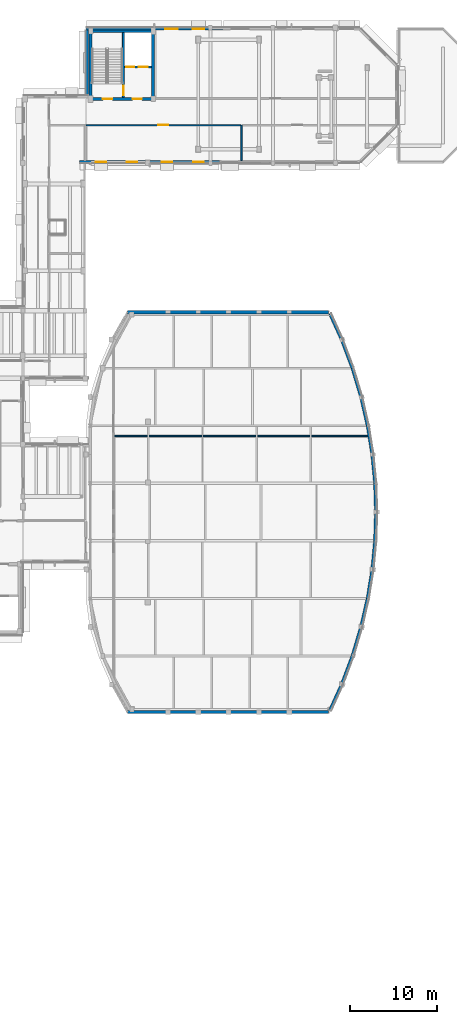
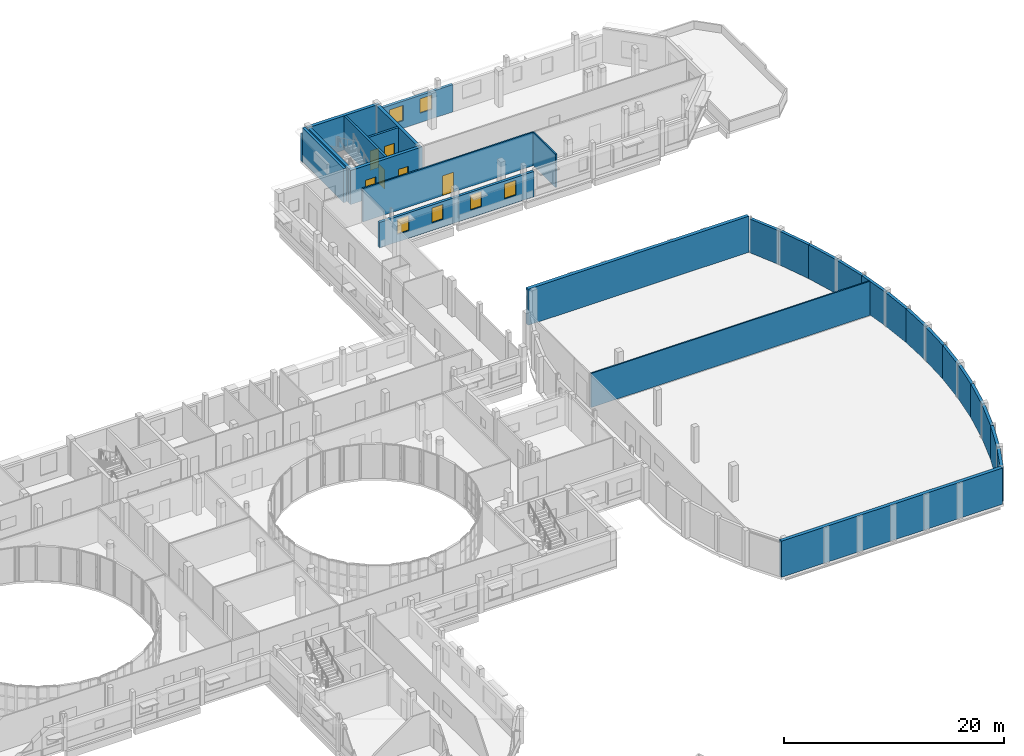
# One storey, part 86 of 105: 28 walls, 6 doors, 6 windows, 12 openings.
"""IFC4 building model written with IfcOpenShell, lengths in metres."""

from ifc_helpers import new_model, si_unit, direction, frame, frame_2d, origin, place, context, subcontext, project, spatial, rectangle, extrude, material, layer, layer_set, type_object, element, fill, save


model = new_model("IFC4")

# Units and contexts
model_context = context("Model", 3, precision=1e-05, world=origin(), true_north=direction((0.0, 1.0)))
body_context = subcontext(model_context, "Body", "Model", "MODEL_VIEW")
ifc_project = project(units=[si_unit("LENGTHUNIT", "METRE"), si_unit("AREAUNIT", "SQUARE_METRE"), si_unit("VOLUMEUNIT", "CUBIC_METRE"), si_unit("PLANEANGLEUNIT", "RADIAN"), si_unit("MASSUNIT", "GRAM", prefix="KILO")], contexts=[model_context])

# Site, building, storey
site_placement = place(None, origin())
site = spatial("IfcSite", under=ifc_project, at=site_placement, CompositionType="ELEMENT")
building_placement = place(site_placement, origin())
building = spatial("IfcBuilding", under=site, at=building_placement, Name="Kelanivale Promenade Academy", CompositionType="ELEMENT")
storey_placement = place(building_placement, frame((0.0, 0.0, 4.199951171875)))
storey = spatial("IfcBuildingStorey", under=building, at=storey_placement, Name="L01", CompositionType="ELEMENT", Elevation=4.199951171875)

# Wall, openings, doors
ifc_material_1 = material(Name="Concrete C40/50", Category="concrete")
ifc_layer_1 = layer(ifc_material_1, 0.330078125)
ifc_layer_set_1 = layer_set([ifc_layer_1], Name="Concrete C40/50")
wall_type_1 = type_object("IfcWallType", Name="CW-S1 Wall 330mm", PredefinedType="SHEAR", material=ifc_layer_set_1)
wall_1_placement = place(storey_placement, frame((123.235107421875, 103.800048828125, 0.0), z_axis=(0.0, 0.0, 1.0), x_axis=(1.0, 0.0, 0.0)))
wall_1 = element("IfcWall", 1, at=wall_1_placement, inside=storey, type_object=wall_type_1, Name="CORE-5 RC shear wall S L01", PredefinedType="SHEAR", context=body_context, shape_type="SweptSolid", body=[
    extrude(rectangle(XDim=7.52978515625, YDim=0.330078125, at=frame_2d((3.764892578125, 0.0))), origin(), (0.0, 0.0, 1.0), 3.780029296875),
])
opening_1_placement = place(wall_1_placement, frame((5.014892578125, 0.0, 0.0)))
opening_1 = element("IfcOpeningElement", 2, at=opening_1_placement, cuts=wall_1, Name="Opening FD-CORE-5-LB-L01", PredefinedType="OPENING", context=body_context, shape_type="SweptSolid", body=[
    extrude(rectangle(XDim=1.050048828125, YDim=2.14990234375, at=frame_2d((0.52490234375, 1.074951171875))), frame((0.0, 0.175048828125, 0.0), z_axis=(0.0, -1.0, 0.0), x_axis=(1.0, 0.0, 0.0)), (0.0, 0.0, 1.0), 0.35009765625),
])
opening_2_placement = place(wall_1_placement, frame((1.56494140625, 0.0, 0.0)))
opening_2 = element("IfcOpeningElement", 3, at=opening_2_placement, cuts=wall_1, Name="Opening FD-CORE-5-ST-L01", PredefinedType="OPENING", context=body_context, shape_type="SweptSolid", body=[
    extrude(rectangle(XDim=1.10009765625, YDim=2.14990234375, at=frame_2d((0.550048828125, 1.074951171875))), frame((0.0, 0.175048828125, 0.0), z_axis=(0.0, -1.0, 0.0), x_axis=(1.0, 0.0, 0.0)), (0.0, 0.0, 1.0), 0.35009765625),
])
ifc_material_2 = material(Name="Fire-rated steel-core teak veneer", Category="steel")
door_type_1 = type_object("IfcDoorType", Name="DT-F01 Door 1100x2150", OperationType="NOTDEFINED", PredefinedType="DOOR", material=ifc_material_2)
door_1_placement = place(opening_2_placement, frame((1.10009765625, 0.0, 0.0), z_axis=(0.0, 0.0, 1.0), x_axis=(-1.0, 0.0, 0.0)))
door_1 = element("IfcDoor", 4, at=door_1_placement, inside=storey, type_object=door_type_1, Name="CORE-5 protected stair fire door L01", OperationType="SINGLE_SWING_LEFT", OverallHeight=2.14990234375, OverallWidth=1.10009765625, PredefinedType="DOOR", context=body_context, shape_type="SweptSolid", body=[
    extrude(rectangle(XDim=1.10009765625, YDim=2.14990234375, at=frame_2d((0.550048828125, 1.074951171875))), frame((0.0, 0.02490234375, 0.0), z_axis=(0.0, -1.0, 0.0), x_axis=(1.0, 0.0, 0.0)), (0.0, 0.0, 1.0), 0.050048828125),
])
fill(opening_2, door_1)
door_type_2 = type_object("IfcDoorType", Name="DT-F03 Door 1050x2150", OperationType="NOTDEFINED", PredefinedType="DOOR", material=ifc_material_2)
door_2_placement = place(opening_1_placement, origin())
door_2 = element("IfcDoor", 5, at=door_2_placement, inside=storey, type_object=door_type_2, Name="CORE-5 corridor-to-lobby fire door L01", OperationType="SINGLE_SWING_RIGHT", OverallHeight=2.14990234375, OverallWidth=1.050048828125, PredefinedType="DOOR", context=body_context, shape_type="SweptSolid", body=[
    extrude(rectangle(XDim=1.050048828125, YDim=2.14990234375, at=frame_2d((0.52490234375, 1.074951171875))), frame((0.0, 0.02490234375, 0.0), z_axis=(0.0, -1.0, 0.0), x_axis=(1.0, 0.0, 0.0)), (0.0, 0.0, 1.0), 0.050048828125),
])
fill(opening_1, door_2)

# Walls
wall_2_placement = place(storey_placement, frame((123.235107421875, 111.60009765625, 0.0), z_axis=(0.0, 0.0, 1.0), x_axis=(1.0, 0.0, 0.0)))
element("IfcWall", 6, at=wall_2_placement, inside=storey, type_object=wall_type_1, Name="CORE-5 RC shear wall N L01", PredefinedType="SHEAR", context=body_context, shape_type="SweptSolid", body=[
    extrude(rectangle(XDim=7.52978515625, YDim=0.330078125, at=frame_2d((3.764892578125, 0.0))), origin(), (0.0, 0.0, 1.0), 3.780029296875),
])
for number, where, z_axis, x_axis, name in (
    (7, (123.39990234375, 103.965087890625, 0.0), (0.0, 0.0, 1.0), (0.0, 1.0, 0.0), "CORE-5 RC shear wall W L01"),
    (8, (130.60009765625, 103.965087890625, 0.0), (0.0, 0.0, 1.0), (0.0, 1.0, 0.0), "CORE-5 RC shear wall E L01"),
):
    element("IfcWall", number, at=place(storey_placement, frame(where, z_axis=z_axis, x_axis=x_axis)), inside=storey, type_object=wall_type_1, Name=name, PredefinedType="SHEAR", context=body_context, shape_type="SweptSolid", body=[
        extrude(rectangle(XDim=7.469970703125, YDim=0.330078125, at=frame_2d((3.73486328125, 0.0))), origin(), (0.0, 0.0, 1.0), 3.780029296875),
    ])

# Wall, openings, doors
ifc_layer_2 = layer(ifc_material_1, 0.22509765625)
ifc_layer_set_2 = layer_set([ifc_layer_2], Name="Concrete C40/50")
wall_type_2 = type_object("IfcWallType", Name="CW-S2 Wall 225mm", PredefinedType="SHEAR", material=ifc_layer_set_2)
wall_3_placement = place(storey_placement, frame((127.284912109375, 107.469970703125, 0.0), z_axis=(0.0, 0.0, 1.0), x_axis=(1.0, 0.0, 0.0)))
wall_3 = element("IfcWall", 9, at=wall_3_placement, inside=storey, type_object=wall_type_2, Name="CORE-5 lift shaft front RC wall L01", PredefinedType="SHEAR", context=body_context, shape_type="SweptSolid", body=[
    extrude(rectangle(XDim=3.150146484375, YDim=0.22509765625, at=frame_2d((1.5751953125, 0.0))), origin(), (0.0, 0.0, 1.0), 3.780029296875),
])
opening_3_placement = place(wall_3_placement, frame((0.199951171875, 0.0, 0.0)))
opening_3 = element("IfcOpeningElement", 10, at=opening_3_placement, cuts=wall_3, Name="Opening LD-LF-FF4-L01", PredefinedType="OPENING", context=body_context, shape_type="SweptSolid", body=[
    extrude(rectangle(XDim=0.949951171875, YDim=2.14990234375, at=frame_2d((0.47509765625, 1.074951171875))), frame((0.0, 0.12255859375, 0.0), z_axis=(0.0, -1.0, 0.0), x_axis=(1.0, 0.0, 0.0)), (0.0, 0.0, 1.0), 0.2451171875),
])
opening_4_placement = place(wall_3_placement, frame((1.64990234375, 0.0, 0.0)))
opening_4 = element("IfcOpeningElement", 11, at=opening_4_placement, cuts=wall_3, Name="Opening LD-LF-P3-L01", PredefinedType="OPENING", context=body_context, shape_type="SweptSolid", body=[
    extrude(rectangle(XDim=1.050048828125, YDim=2.199951171875, at=frame_2d((0.52490234375, 1.10009765625))), frame((0.0, 0.12255859375, 0.0), z_axis=(0.0, -1.0, 0.0), x_axis=(1.0, 0.0, 0.0)), (0.0, 0.0, 1.0), 0.2451171875),
])
door_type_3 = type_object("IfcDoorType", Name="LD-FF1 Door 950x2150", OperationType="NOTDEFINED", PredefinedType="DOOR", material=ifc_material_2)
door_3_placement = place(opening_3_placement, origin())
door_3 = element("IfcDoor", 12, at=door_3_placement, inside=storey, type_object=door_type_3, Name="Firefighting lift landing door LD-LF-FF4-L01", OperationType="SLIDING_TO_LEFT", OverallHeight=2.14990234375, OverallWidth=0.949951171875, PredefinedType="DOOR", context=body_context, shape_type="SweptSolid", body=[
    extrude(rectangle(XDim=0.949951171875, YDim=2.14990234375, at=frame_2d((0.47509765625, 1.074951171875))), frame((0.0, 0.02490234375, 0.0), z_axis=(0.0, -1.0, 0.0), x_axis=(1.0, 0.0, 0.0)), (0.0, 0.0, 1.0), 0.050048828125),
])
fill(opening_3, door_3)
door_type_4 = type_object("IfcDoorType", Name="LD-PL1 Door 1050x2200", OperationType="NOTDEFINED", PredefinedType="DOOR", material=ifc_material_2)
door_4_placement = place(opening_4_placement, origin())
door_4 = element("IfcDoor", 13, at=door_4_placement, inside=storey, type_object=door_type_4, Name="Passenger lift landing door LD-LF-P3-L01", OperationType="SLIDING_TO_RIGHT", OverallHeight=2.199951171875, OverallWidth=1.050048828125, PredefinedType="DOOR", context=body_context, shape_type="SweptSolid", body=[
    extrude(rectangle(XDim=1.050048828125, YDim=2.199951171875, at=frame_2d((0.52490234375, 1.10009765625))), frame((0.0, 0.02490234375, 0.0), z_axis=(0.0, -1.0, 0.0), x_axis=(1.0, 0.0, 0.0)), (0.0, 0.0, 1.0), 0.050048828125),
])
fill(opening_4, door_4)

# Wall, opening, door
ifc_layer_3 = layer(ifc_material_1, 0.219970703125)
ifc_layer_set_3 = layer_set([ifc_layer_3], Name="Concrete C40/50")
wall_type_3 = type_object("IfcWallType", Name="CW-S3 Wall 220mm", PredefinedType="SHEAR", material=ifc_layer_set_3)
wall_4_placement = place(storey_placement, frame((127.175048828125, 103.965087890625, 0.0), z_axis=(0.0, 0.0, 1.0), x_axis=(0.0, 1.0, 0.0)))
wall_4 = element("IfcWall", 14, at=wall_4_placement, inside=storey, type_object=wall_type_3, Name="CORE-5 stair-lobby dividing RC wall L01", PredefinedType="SHEAR", context=body_context, shape_type="SweptSolid", body=[
    extrude(rectangle(XDim=7.469970703125, YDim=0.219970703125, at=frame_2d((3.73486328125, 0.0))), origin(), (0.0, 0.0, 1.0), 3.780029296875),
])
opening_5_placement = place(wall_4_placement, frame((0.25, 0.0, 0.0)))
opening_5 = element("IfcOpeningElement", 15, at=opening_5_placement, cuts=wall_4, Name="Opening FD-CORE-5-SL-L01", PredefinedType="OPENING", context=body_context, shape_type="SweptSolid", body=[
    extrude(rectangle(XDim=1.10009765625, YDim=2.14990234375, at=frame_2d((0.550048828125, 1.074951171875))), frame((0.0, 0.1201171875, 0.0), z_axis=(0.0, -1.0, 0.0), x_axis=(1.0, 0.0, 0.0)), (0.0, 0.0, 1.0), 0.239990234375),
])
door_5_placement = place(opening_5_placement, origin())
door_5 = element("IfcDoor", 16, at=door_5_placement, inside=storey, type_object=door_type_1, Name="CORE-5 lobby-to-stair fire door L01", OperationType="SINGLE_SWING_LEFT", OverallHeight=2.14990234375, OverallWidth=1.10009765625, PredefinedType="DOOR", context=body_context, shape_type="SweptSolid", body=[
    extrude(rectangle(XDim=1.10009765625, YDim=2.14990234375, at=frame_2d((0.550048828125, 1.074951171875))), frame((0.0, 0.02490234375, 0.0), z_axis=(0.0, -1.0, 0.0), x_axis=(1.0, 0.0, 0.0)), (0.0, 0.0, 1.0), 0.050048828125),
])
fill(opening_5, door_5)

# Walls
ifc_layer_4 = layer(ifc_material_1, 0.360107421875)
ifc_layer_set_4 = layer_set([ifc_layer_4], Name="Concrete C40/50")
wall_type_4 = type_object("IfcWallType", Name="ESW-01 Wall 360mm", PredefinedType="SHEAR", material=ifc_layer_set_4)
for number, where, z_axis, x_axis, name in (
    (17, (127.64990234375, 33.179931640625, 0.0), (0.0, 0.0, 1.0), (1.0, 0.0, 0.0), "Assembly Hall Arc Pavilion gable wall L01"),
    (18, (150.7880859375, 79.219970703125, 0.0), (0.0, 0.0, 1.0), (-1.0, 0.0, 0.0), "Assembly Hall Arc Pavilion gable wall L01"),
):
    element("IfcWall", number, at=place(storey_placement, frame(where, z_axis=z_axis, x_axis=x_axis)), inside=storey, type_object=wall_type_4, Name=name, PredefinedType="SHEAR", context=body_context, shape_type="SweptSolid", body=[
        extrude(rectangle(XDim=23.13818359375, YDim=0.360107421875, at=frame_2d((11.569091796875, 0.0))), origin(), (0.0, 0.0, 1.0), 4.0),
    ])
ifc_material_3 = material(Name="Insulated terracotta-clad masonry wall 300 mm", Category="masonry")
ifc_layer_5 = layer(ifc_material_3, 0.300048828125)
ifc_layer_set_5 = layer_set([ifc_layer_5], Name="Insulated terracotta-clad masonry wall 300 mm")
wall_type_5 = type_object("IfcWallType", Name="EW-01 Wall 300mm", PredefinedType="SOLIDWALL", material=ifc_layer_set_5)
wall_5_placement = place(storey_placement, frame((150.9541015625, 33.364013671875, 0.0), z_axis=(0.0, 0.0, 1.0), x_axis=(0.414347666712, 0.910118679673, 0.0)))
element("IfcWall", 19, at=wall_5_placement, inside=storey, type_object=wall_type_5, Name="Assembly Hall Arc Pavilion curved terracotta wall L01", PredefinedType="SOLIDWALL", context=body_context, shape_type="SweptSolid", body=[
    extrude(rectangle(XDim=3.2412109375, YDim=0.300048828125, at=frame_2d((1.62060546875, 0.0))), origin(), (0.0, 0.0, 1.0), 3.7451171875),
])
wall_6_placement = place(storey_placement, frame((152.297119140625, 36.31396484375, 0.0), z_axis=(0.0, 0.0, 1.0), x_axis=(0.350836219137, 0.936436835746, 0.0)))
element("IfcWall", 20, at=wall_6_placement, inside=storey, type_object=wall_type_5, Name="Assembly Hall Arc Pavilion curved terracotta wall L01", PredefinedType="SOLIDWALL", context=body_context, shape_type="SweptSolid", body=[
    extrude(rectangle(XDim=3.5400390625, YDim=0.300048828125, at=frame_2d((1.77001953125, 0.0))), origin(), (0.0, 0.0, 1.0), 3.7451171875),
])
wall_7_placement = place(storey_placement, frame((153.5390625, 39.62890625, 0.0), z_axis=(0.0, 0.0, 1.0), x_axis=(0.286991798892, 0.957933039084, 0.0)))
element("IfcWall", 21, at=wall_7_placement, inside=storey, type_object=wall_type_5, Name="Assembly Hall Arc Pavilion curved terracotta wall L01", PredefinedType="SOLIDWALL", context=body_context, shape_type="SweptSolid", body=[
    extrude(rectangle(XDim=3.459716796875, YDim=0.300048828125, at=frame_2d((1.72998046875, 0.0))), origin(), (0.0, 0.0, 1.0), 3.7451171875),
])
wall_8_placement = place(storey_placement, frame((154.531982421875, 42.943115234375, 0.0), z_axis=(0.0, 0.0, 1.0), x_axis=(0.223259599234, 0.974759022195, 0.0)))
element("IfcWall", 22, at=wall_8_placement, inside=storey, type_object=wall_type_5, Name="Assembly Hall Arc Pavilion curved terracotta wall L01", PredefinedType="SOLIDWALL", context=body_context, shape_type="SweptSolid", body=[
    extrude(rectangle(XDim=3.399658203125, YDim=0.300048828125, at=frame_2d((1.69970703125, 0.0))), origin(), (0.0, 0.0, 1.0), 3.7451171875),
])
wall_9_placement = place(storey_placement, frame((155.291015625, 46.257080078125, 0.0), z_axis=(0.0, 0.0, 1.0), x_axis=(0.159349054769, 0.987222304623, 0.0)))
element("IfcWall", 23, at=wall_9_placement, inside=storey, type_object=wall_type_5, Name="Assembly Hall Arc Pavilion curved terracotta wall L01", PredefinedType="SOLIDWALL", context=body_context, shape_type="SweptSolid", body=[
    extrude(rectangle(XDim=3.35693359375, YDim=0.300048828125, at=frame_2d((1.678466796875, 0.0))), origin(), (0.0, 0.0, 1.0), 3.7451171875),
])
wall_10_placement = place(storey_placement, frame((155.825927734375, 49.571044921875, 0.0), z_axis=(0.0, 0.0, 1.0), x_axis=(0.095525216858, 0.995427010355, 0.0)))
element("IfcWall", 24, at=wall_10_placement, inside=storey, type_object=wall_type_5, Name="Assembly Hall Arc Pavilion curved terracotta wall L01", PredefinedType="SOLIDWALL", context=body_context, shape_type="SweptSolid", body=[
    extrude(rectangle(XDim=3.330078125, YDim=0.300048828125, at=frame_2d((1.6650390625, 0.0))), origin(), (0.0, 0.0, 1.0), 3.7451171875),
])
for number, where, z_axis, x_axis, name in (
    (25, (156.14404296875, 52.885986328125, 0.0), (0.0, 0.0, 1.0), (0.031956559473, 0.999489258725, 0.0), "Assembly Hall Arc Pavilion curved terracotta wall L01"),
    (26, (156.25, 56.199951171875, 0.0), (0.0, 0.0, 1.0), (-0.031956559473, 0.999489258725, 0.0), "Assembly Hall Arc Pavilion curved terracotta wall L01"),
):
    element("IfcWall", number, at=place(storey_placement, frame(where, z_axis=z_axis, x_axis=x_axis)), inside=storey, type_object=wall_type_5, Name=name, PredefinedType="SOLIDWALL", context=body_context, shape_type="SweptSolid", body=[
        extrude(rectangle(XDim=3.315673828125, YDim=0.300048828125, at=frame_2d((1.65771484375, 0.0))), origin(), (0.0, 0.0, 1.0), 3.7451171875),
    ])
wall_11_placement = place(storey_placement, frame((156.14404296875, 59.513916015625, 0.0), z_axis=(0.0, 0.0, 1.0), x_axis=(-0.095518246268, 0.995427679256, 0.0)))
element("IfcWall", 27, at=wall_11_placement, inside=storey, type_object=wall_type_5, Name="Assembly Hall Arc Pavilion curved terracotta wall L01", PredefinedType="SOLIDWALL", context=body_context, shape_type="SweptSolid", body=[
    extrude(rectangle(XDim=3.330322265625, YDim=0.300048828125, at=frame_2d((1.6650390625, 0.0))), origin(), (0.0, 0.0, 1.0), 3.7451171875),
])
wall_12_placement = place(storey_placement, frame((155.825927734375, 62.8291015625, 0.0), z_axis=(0.0, 0.0, 1.0), x_axis=(-0.159349054769, 0.987222304623, 0.0)))
element("IfcWall", 28, at=wall_12_placement, inside=storey, type_object=wall_type_5, Name="Assembly Hall Arc Pavilion curved terracotta wall L01", PredefinedType="SOLIDWALL", context=body_context, shape_type="SweptSolid", body=[
    extrude(rectangle(XDim=3.35693359375, YDim=0.300048828125, at=frame_2d((1.678466796875, 0.0))), origin(), (0.0, 0.0, 1.0), 3.7451171875),
])
wall_13_placement = place(storey_placement, frame((155.291015625, 66.14306640625, 0.0), z_axis=(0.0, 0.0, 1.0), x_axis=(-0.223259599234, 0.974759022195, 0.0)))
element("IfcWall", 29, at=wall_13_placement, inside=storey, type_object=wall_type_5, Name="Assembly Hall Arc Pavilion curved terracotta wall L01", PredefinedType="SOLIDWALL", context=body_context, shape_type="SweptSolid", body=[
    extrude(rectangle(XDim=3.399658203125, YDim=0.300048828125, at=frame_2d((1.69970703125, 0.0))), origin(), (0.0, 0.0, 1.0), 3.7451171875),
])
wall_14_placement = place(storey_placement, frame((154.531982421875, 69.45703125, 0.0), z_axis=(0.0, 0.0, 1.0), x_axis=(-0.287011200065, 0.957927226379, 0.0)))
element("IfcWall", 30, at=wall_14_placement, inside=storey, type_object=wall_type_5, Name="Assembly Hall Arc Pavilion curved terracotta wall L01", PredefinedType="SOLIDWALL", context=body_context, shape_type="SweptSolid", body=[
    extrude(rectangle(XDim=3.45947265625, YDim=0.300048828125, at=frame_2d((1.729736328125, 0.0))), origin(), (0.0, 0.0, 1.0), 3.7451171875),
])
wall_15_placement = place(storey_placement, frame((153.5390625, 72.77099609375, 0.0), z_axis=(0.0, 0.0, 1.0), x_axis=(-0.350836219137, 0.936436835746, 0.0)))
element("IfcWall", 31, at=wall_15_placement, inside=storey, type_object=wall_type_5, Name="Assembly Hall Arc Pavilion curved terracotta wall L01", PredefinedType="SOLIDWALL", context=body_context, shape_type="SweptSolid", body=[
    extrude(rectangle(XDim=3.5400390625, YDim=0.300048828125, at=frame_2d((1.77001953125, 0.0))), origin(), (0.0, 0.0, 1.0), 3.7451171875),
])
wall_16_placement = place(storey_placement, frame((152.297119140625, 76.0859375, 0.0), z_axis=(0.0, 0.0, 1.0), x_axis=(-0.414347666712, 0.910118679673, 0.0)))
element("IfcWall", 32, at=wall_16_placement, inside=storey, type_object=wall_type_5, Name="Assembly Hall Arc Pavilion curved terracotta wall L01", PredefinedType="SOLIDWALL", context=body_context, shape_type="SweptSolid", body=[
    extrude(rectangle(XDim=3.2412109375, YDim=0.300048828125, at=frame_2d((1.62060546875, 0.0))), origin(), (0.0, 0.0, 1.0), 3.7451171875),
])

# Wall, openings, windows
ifc_material_4 = material(Name="Insulated ivory stucco masonry wall 280 mm", Category="masonry")
ifc_layer_6 = layer(ifc_material_4, 0.280029296875)
ifc_layer_set_6 = layer_set([ifc_layer_6], Name="Insulated ivory stucco masonry wall 280 mm")
wall_type_6 = type_object("IfcWallType", Name="EW-02 Wall 280mm", PredefinedType="SOLIDWALL", material=ifc_layer_set_6)
wall_17_placement = place(storey_placement, frame((122.1201171875, 96.5400390625, 0.0), z_axis=(0.0, 0.0, 1.0), x_axis=(1.0, 0.0, 0.0)))
wall_17 = element("IfcWall", 33, at=wall_17_placement, inside=storey, type_object=wall_type_6, Name="L01 exterior facade wall EW-L01-ORT-0369", PredefinedType="SOLIDWALL", context=body_context, shape_type="SweptSolid", body=[
    extrude(rectangle(XDim=16.15576171875, YDim=0.280029296875, at=frame_2d((8.077880859375, 0.0))), origin(), (0.0, 0.0, 1.0), 2.81494140625),
])
opening_6_placement = place(wall_17_placement, frame((1.8701171875, 0.0, 0.85009765625)))
opening_6 = element("IfcOpeningElement", 34, at=opening_6_placement, cuts=wall_17, Name="Opening WT-05", PredefinedType="OPENING", context=body_context, shape_type="SweptSolid", body=[
    extrude(rectangle(XDim=1.199951171875, YDim=1.64990234375, at=frame_2d((0.60009765625, 0.824951171875))), frame((0.0, 0.14990234375, 0.0), z_axis=(0.0, -1.0, 0.0), x_axis=(1.0, 0.0, 0.0)), (0.0, 0.0, 1.0), 0.300048828125),
])
opening_7_placement = place(wall_17_placement, frame((5.458984375, 0.0, 0.85009765625)))
opening_7 = element("IfcOpeningElement", 35, at=opening_7_placement, cuts=wall_17, Name="Opening WT-05", PredefinedType="OPENING", context=body_context, shape_type="SweptSolid", body=[
    extrude(rectangle(XDim=1.199951171875, YDim=1.64990234375, at=frame_2d((0.60009765625, 0.824951171875))), frame((0.0, 0.14990234375, 0.0), z_axis=(0.0, -1.0, 0.0), x_axis=(1.0, 0.0, 0.0)), (0.0, 0.0, 1.0), 0.300048828125),
])
opening_8_placement = place(wall_17_placement, frame((9.498046875, 0.0, 0.85009765625)))
opening_8 = element("IfcOpeningElement", 36, at=opening_8_placement, cuts=wall_17, Name="Opening WT-05", PredefinedType="OPENING", context=body_context, shape_type="SweptSolid", body=[
    extrude(rectangle(XDim=1.199951171875, YDim=1.64990234375, at=frame_2d((0.60009765625, 0.824951171875))), frame((0.0, 0.14990234375, 0.0), z_axis=(0.0, -1.0, 0.0), x_axis=(1.0, 0.0, 0.0)), (0.0, 0.0, 1.0), 0.300048828125),
])
opening_9_placement = place(wall_17_placement, frame((13.0869140625, 0.0, 0.85009765625)))
opening_9 = element("IfcOpeningElement", 37, at=opening_9_placement, cuts=wall_17, Name="Opening WT-05", PredefinedType="OPENING", context=body_context, shape_type="SweptSolid", body=[
    extrude(rectangle(XDim=1.199951171875, YDim=1.64990234375, at=frame_2d((0.60009765625, 0.824951171875))), frame((0.0, 0.14990234375, 0.0), z_axis=(0.0, -1.0, 0.0), x_axis=(1.0, 0.0, 0.0)), (0.0, 0.0, 1.0), 0.300048828125),
])
ifc_material_5 = material(Name="Bronze anodised aluminium frame with low-E laminated glass", Category="aluminium")
window_type_1 = type_object("IfcWindowType", Name="WT-05 Window 1200x1650", PartitioningType="SINGLE_PANEL", PredefinedType="WINDOW", material=ifc_material_5)
window_1_placement = place(opening_6_placement, origin())
window_1 = element("IfcWindow", 38, at=window_1_placement, inside=storey, type_object=window_type_1, Name="Window WT-05", OverallHeight=1.64990234375, OverallWidth=1.199951171875, PartitioningType="SINGLE_PANEL", PredefinedType="WINDOW", context=body_context, shape_type="SweptSolid", body=[
    extrude(rectangle(XDim=1.199951171875, YDim=1.64990234375, at=frame_2d((0.60009765625, 0.824951171875))), frame((0.0, 0.030029296875, 0.0), z_axis=(0.0, -1.0, 0.0), x_axis=(1.0, 0.0, 0.0)), (0.0, 0.0, 1.0), 0.06005859375),
])
fill(opening_6, window_1)
window_2_placement = place(opening_7_placement, origin())
window_2 = element("IfcWindow", 39, at=window_2_placement, inside=storey, type_object=window_type_1, Name="Window WT-05", OverallHeight=1.64990234375, OverallWidth=1.199951171875, PartitioningType="SINGLE_PANEL", PredefinedType="WINDOW", context=body_context, shape_type="SweptSolid", body=[
    extrude(rectangle(XDim=1.199951171875, YDim=1.64990234375, at=frame_2d((0.60009765625, 0.824951171875))), frame((0.0, 0.030029296875, 0.0), z_axis=(0.0, -1.0, 0.0), x_axis=(1.0, 0.0, 0.0)), (0.0, 0.0, 1.0), 0.06005859375),
])
fill(opening_7, window_2)
window_3_placement = place(opening_8_placement, origin())
window_3 = element("IfcWindow", 40, at=window_3_placement, inside=storey, type_object=window_type_1, Name="Window WT-05", OverallHeight=1.64990234375, OverallWidth=1.199951171875, PartitioningType="SINGLE_PANEL", PredefinedType="WINDOW", context=body_context, shape_type="SweptSolid", body=[
    extrude(rectangle(XDim=1.199951171875, YDim=1.64990234375, at=frame_2d((0.60009765625, 0.824951171875))), frame((0.0, 0.030029296875, 0.0), z_axis=(0.0, -1.0, 0.0), x_axis=(1.0, 0.0, 0.0)), (0.0, 0.0, 1.0), 0.06005859375),
])
fill(opening_8, window_3)
window_4_placement = place(opening_9_placement, origin())
window_4 = element("IfcWindow", 41, at=window_4_placement, inside=storey, type_object=window_type_1, Name="Window WT-05", OverallHeight=1.64990234375, OverallWidth=1.199951171875, PartitioningType="SINGLE_PANEL", PredefinedType="WINDOW", context=body_context, shape_type="SweptSolid", body=[
    extrude(rectangle(XDim=1.199951171875, YDim=1.64990234375, at=frame_2d((0.60009765625, 0.824951171875))), frame((0.0, 0.030029296875, 0.0), z_axis=(0.0, -1.0, 0.0), x_axis=(1.0, 0.0, 0.0)), (0.0, 0.0, 1.0), 0.06005859375),
])
fill(opening_9, window_4)

wall_18_placement = place(storey_placement, frame((138.64111328125, 111.860107421875, 0.0), z_axis=(0.0, 0.0, 1.0), x_axis=(-1.0, 0.0, 0.0)))
wall_18 = element("IfcWall", 42, at=wall_18_placement, inside=storey, type_object=wall_type_6, Name="L01 exterior facade wall EW-L01-ORT-0375", PredefinedType="SOLIDWALL", context=body_context, shape_type="SweptSolid", body=[
    extrude(rectangle(XDim=15.791015625, YDim=0.280029296875, at=frame_2d((7.8955078125, 0.0))), origin(), (0.0, 0.0, 1.0), 3.01513671875),
])
opening_10_placement = place(wall_18_placement, frame((2.174072265625, 0.0, 1.050048828125)))
opening_10 = element("IfcOpeningElement", 43, at=opening_10_placement, cuts=wall_18, Name="Opening WT-23", PredefinedType="OPENING", context=body_context, shape_type="SweptSolid", body=[
    extrude(rectangle(XDim=1.300048828125, YDim=1.60009765625, at=frame_2d((0.64990234375, 0.800048828125))), frame((0.0, 0.14990234375, 0.0), z_axis=(0.0, -1.0, 0.0), x_axis=(1.0, 0.0, 0.0)), (0.0, 0.0, 1.0), 0.300048828125),
])
opening_11_placement = place(wall_18_placement, frame((5.197021484375, 0.0, 0.85009765625)))
opening_11 = element("IfcOpeningElement", 44, at=opening_11_placement, cuts=wall_18, Name="Opening WT-24", PredefinedType="OPENING", context=body_context, shape_type="SweptSolid", body=[
    extrude(rectangle(XDim=1.449951171875, YDim=1.699951171875, at=frame_2d((0.72509765625, 0.85009765625))), frame((0.0, 0.14990234375, 0.0), z_axis=(0.0, -1.0, 0.0), x_axis=(1.0, 0.0, 0.0)), (0.0, 0.0, 1.0), 0.300048828125),
])
window_type_2 = type_object("IfcWindowType", Name="WT-23 Window 1300x1600", PartitioningType="SINGLE_PANEL", PredefinedType="WINDOW", material=ifc_material_5)
window_5_placement = place(opening_10_placement, origin())
window_5 = element("IfcWindow", 45, at=window_5_placement, inside=storey, type_object=window_type_2, Name="Window WT-23", OverallHeight=1.60009765625, OverallWidth=1.300048828125, PartitioningType="SINGLE_PANEL", PredefinedType="WINDOW", context=body_context, shape_type="SweptSolid", body=[
    extrude(rectangle(XDim=1.300048828125, YDim=1.60009765625, at=frame_2d((0.64990234375, 0.800048828125))), frame((0.0, 0.030029296875, 0.0), z_axis=(0.0, -1.0, 0.0), x_axis=(1.0, 0.0, 0.0)), (0.0, 0.0, 1.0), 0.06005859375),
])
fill(opening_10, window_5)
window_type_3 = type_object("IfcWindowType", Name="WT-24 Window 1450x1700", PartitioningType="SINGLE_PANEL", PredefinedType="WINDOW", material=ifc_material_5)
window_6_placement = place(opening_11_placement, origin())
window_6 = element("IfcWindow", 46, at=window_6_placement, inside=storey, type_object=window_type_3, Name="Window WT-24", OverallHeight=1.699951171875, OverallWidth=1.449951171875, PartitioningType="SINGLE_PANEL", PredefinedType="WINDOW", context=body_context, shape_type="SweptSolid", body=[
    extrude(rectangle(XDim=1.449951171875, YDim=1.699951171875, at=frame_2d((0.72509765625, 0.85009765625))), frame((0.0, 0.030029296875, 0.0), z_axis=(0.0, -1.0, 0.0), x_axis=(1.0, 0.0, 0.0)), (0.0, 0.0, 1.0), 0.06005859375),
])
fill(opening_11, window_6)

# Walls
wall_19_placement = place(storey_placement, frame((122.989990234375, 111.719970703125, 0.0), z_axis=(0.0, 0.0, 1.0), x_axis=(0.0, -1.0, 0.0)))
element("IfcWall", 47, at=wall_19_placement, inside=storey, type_object=wall_type_6, Name="L01 exterior facade wall EW-L01-ORT-0376", PredefinedType="SOLIDWALL", context=body_context, shape_type="SweptSolid", body=[
    extrude(rectangle(XDim=7.52001953125, YDim=0.280029296875, at=frame_2d((3.760009765625, 0.0))), origin(), (0.0, 0.0, 1.0), 3.780029296875),
])
ifc_material_6 = material(Name="Acoustic gypsum-lined masonry partition 150 mm", Category="masonry")
ifc_layer_7 = layer(ifc_material_6, 0.14990234375)
ifc_layer_set_7 = layer_set([ifc_layer_7], Name="Acoustic gypsum-lined masonry partition 150 mm")
wall_type_7 = type_object("IfcWallType", Name="IW-03 Wall 150mm", PredefinedType="PARTITIONING", material=ifc_layer_set_7)
wall_20_placement = place(storey_placement, frame((140.77001953125, 96.677978515625, 0.0), z_axis=(0.0, 0.0, 1.0), x_axis=(0.0, 1.0, 0.0)))
element("IfcWall", 48, at=wall_20_placement, inside=storey, type_object=wall_type_7, Name="L01 partition Chemistry Laboratory 1", PredefinedType="PARTITIONING", context=body_context, shape_type="SweptSolid", body=[
    extrude(rectangle(XDim=4.092041015625, YDim=0.14990234375, at=frame_2d((2.0458984375, 0.0))), origin(), (0.0, 0.0, 1.0), 3.715087890625),
])

# Wall, opening, door
wall_21_placement = place(storey_placement, frame((140.697021484375, 100.77001953125, 0.0), z_axis=(0.0, 0.0, 1.0), x_axis=(-1.0, 0.0, 0.0)))
wall_21 = element("IfcWall", 49, at=wall_21_placement, inside=storey, type_object=wall_type_7, Name="L01 partition Chemistry Laboratory 1", PredefinedType="PARTITIONING", context=body_context, shape_type="SweptSolid", body=[
    extrude(rectangle(XDim=17.85400390625, YDim=0.14990234375, at=frame_2d((8.927001953125, 0.0))), origin(), (0.0, 0.0, 1.0), 3.715087890625),
])
opening_12_placement = place(wall_21_placement, frame((8.35205078125, 0.0, 0.0)))
opening_12 = element("IfcOpeningElement", 50, at=opening_12_placement, cuts=wall_21, Name="Opening ID-L01-100", PredefinedType="OPENING", context=body_context, shape_type="SweptSolid", body=[
    extrude(rectangle(XDim=1.14990234375, YDim=2.199951171875, at=frame_2d((0.574951171875, 1.10009765625))), frame((0.0, 0.0849609375, 0.0), z_axis=(0.0, -1.0, 0.0), x_axis=(1.0, 0.0, 0.0)), (0.0, 0.0, 1.0), 0.169921875),
])
door_type_5 = type_object("IfcDoorType", Name="DT-F06 Door 1150x2200", OperationType="NOTDEFINED", PredefinedType="DOOR", material=ifc_material_2)
door_6_placement = place(opening_12_placement, origin())
door_6 = element("IfcDoor", 51, at=door_6_placement, inside=storey, type_object=door_type_5, Name="Chemistry Laboratory 1 door ID-L01-100", OperationType="SINGLE_SWING_RIGHT", OverallHeight=2.199951171875, OverallWidth=1.14990234375, PredefinedType="DOOR", context=body_context, shape_type="SweptSolid", body=[
    extrude(rectangle(XDim=1.14990234375, YDim=2.199951171875, at=frame_2d((0.574951171875, 1.10009765625))), frame((0.0, 0.02490234375, 0.0), z_axis=(0.0, -1.0, 0.0), x_axis=(1.0, 0.0, 0.0)), (0.0, 0.0, 1.0), 0.050048828125),
])
fill(opening_12, door_6)

# Wall
ifc_material_7 = material(Name="Acoustic double-stud gypsum board partition 140 mm", Category="masonry")
ifc_layer_8 = layer(ifc_material_7, 0.139892578125)
ifc_layer_set_8 = layer_set([ifc_layer_8], Name="Acoustic double-stud gypsum board partition 140 mm")
wall_type_8 = type_object("IfcWallType", Name="IW-04 Wall 140mm", PredefinedType="PARTITIONING", material=ifc_layer_set_8)
wall_22_placement = place(storey_placement, frame((155.330078125, 64.969970703125, 0.0), z_axis=(0.0, 0.0, 1.0), x_axis=(-1.0, 0.0, 0.0)))
element("IfcWall", 52, at=wall_22_placement, inside=storey, type_object=wall_type_8, Name="L01 partition Main Assembly Hall", PredefinedType="PARTITIONING", context=body_context, shape_type="SweptSolid", body=[
    extrude(rectangle(XDim=29.232177734375, YDim=0.139892578125, at=frame_2d((14.6162109375, 0.0))), origin(), (0.0, 0.0, 1.0), 3.780029296875),
])

save(model, "model.ifc")
